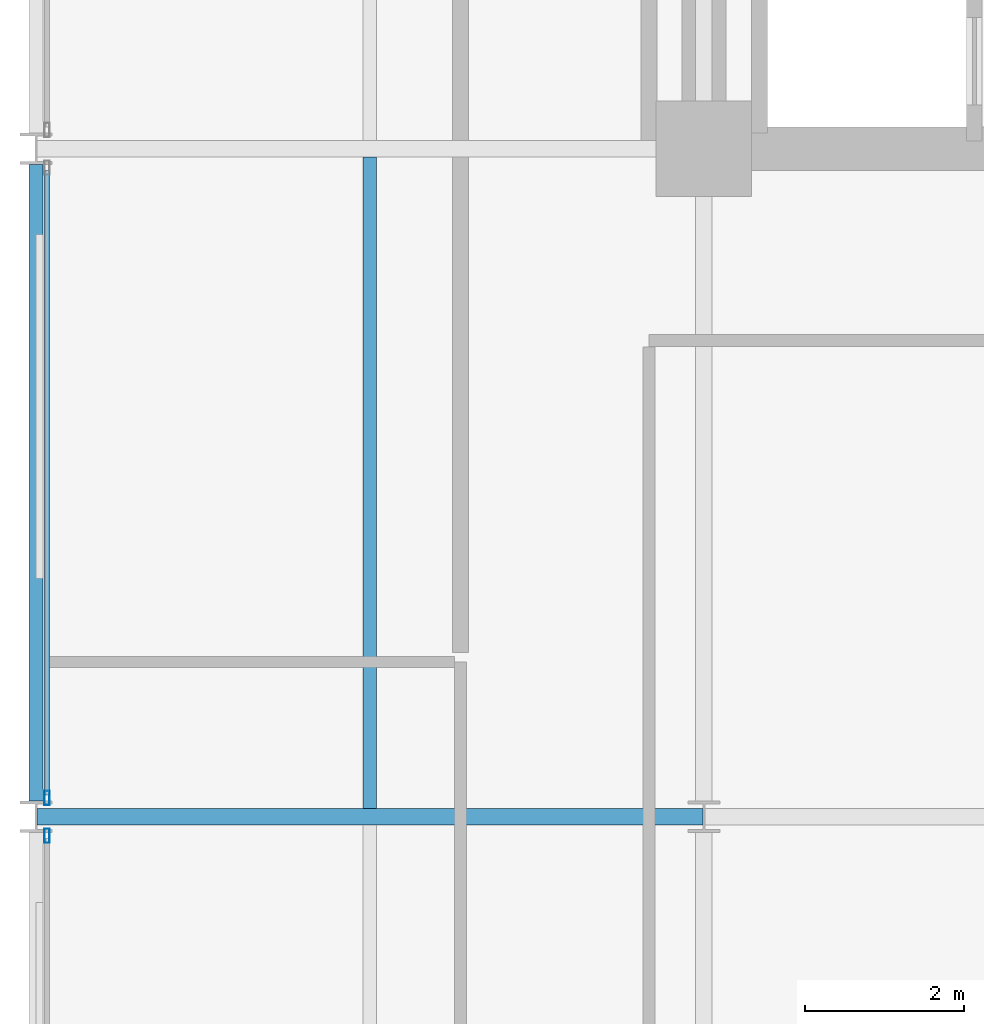
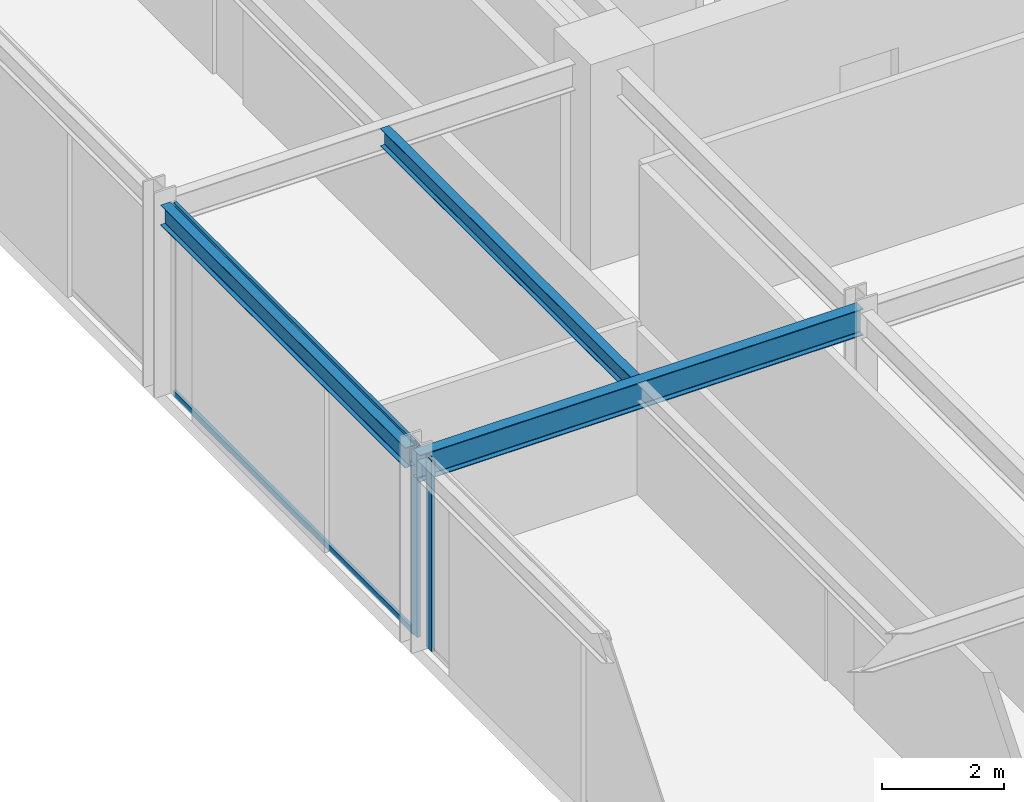
# One storey, part 8 of 29: 4 members, 3 beams, 2 elements without a shape of their own.
"""IFC4 building model written with IfcOpenShell, lengths in metres."""

from ifc_helpers import new_model, si_unit, direction, frame, origin, origin_2d, place, context, subcontext, project, spatial, hollow_rectangle, i_section, extrude, material, layer, layer_set, material_profile, profile_set, type_object, element, aggregate, save


model = new_model("IFC4")

# Units and contexts
model_context = context("Model", 3, precision=1e-05, world=origin(), true_north=direction((0.0, 1.0)))
body_context = subcontext(model_context, "Body", "Model", "MODEL_VIEW")
ifc_project = project(units=[si_unit("LENGTHUNIT", "METRE"), si_unit("AREAUNIT", "SQUARE_METRE"), si_unit("VOLUMEUNIT", "CUBIC_METRE"), si_unit("PLANEANGLEUNIT", "RADIAN"), si_unit("MASSUNIT", "GRAM", prefix="KILO")], contexts=[model_context])

# Site, building, storey
site_placement = place(None, origin())
site = spatial("IfcSite", under=ifc_project, at=site_placement, CompositionType="ELEMENT")
building_placement = place(site_placement, origin())
building = spatial("IfcBuilding", under=site, at=building_placement, Name="Nerrivon Quay Data Exchange", CompositionType="ELEMENT")
storey_placement = place(building_placement, frame((0.0, 0.0, 121.300048828125)))
storey = spatial("IfcBuildingStorey", under=building, at=storey_placement, Name="L28", CompositionType="ELEMENT", Elevation=121.300048828125)

# Beams
ifc_material_1 = material(Name="Steel Grade 350", Category="steel")
ifc_material_profile_1 = material_profile(ifc_material_1, i_section(OverallWidth=0.208984375, OverallDepth=0.532958984375, WebThickness=0.01025390625, FlangeThickness=0.015625, FilletRadius=0.013916015625, at=origin_2d()), Name="530UB92.4")
ifc_profile_set_1 = profile_set([ifc_material_profile_1], Name="Steel Grade 350")
beam_type_1 = type_object("IfcBeamType", Name="BM-G3-530UB92", PredefinedType="BEAM", material=ifc_profile_set_1)
beam_1_placement = place(storey_placement, frame((0.012451171875, 16.800048828125, 3.558349609375), z_axis=(1.0, 0.0, 0.0), x_axis=(0.0, 1.0, 0.0)))
element("IfcBeam", 1, at=beam_1_placement, inside=storey, type_object=beam_type_1, Name="L28 EW Girder Y=16.8 (0.0..8.4)", PredefinedType="BEAM", context=body_context, shape_type="SweptSolid", body=[
    extrude(i_section(OverallWidth=0.208984375, OverallDepth=0.532958984375, WebThickness=0.01025390625, FlangeThickness=0.015625, FilletRadius=0.013916015625, at=origin_2d()), origin(), (0.0, 0.0, 1.0), 8.375),
])
ifc_material_profile_2 = material_profile(ifc_material_1, i_section(OverallWidth=0.1708984375, OverallDepth=0.35595703125, WebThickness=0.00732421875, FlangeThickness=0.011474609375, FilletRadius=0.011474609375, at=origin_2d()), Name="360UB50.7")
ifc_profile_set_2 = profile_set([ifc_material_profile_2], Name="Steel Grade 350")
beam_type_2 = type_object("IfcBeamType", Name="BM-J4-360UB51", PredefinedType="JOIST", material=ifc_profile_set_2)
beam_2_placement = place(storey_placement, frame((4.199951171875, 16.904541015625, 3.64697265625), z_axis=(0.0, 1.0, 0.0), x_axis=(-1.0, 0.0, 0.0)))
element("IfcBeam", 2, at=beam_2_placement, inside=storey, type_object=beam_type_2, Name="L28 Secondary Joist X=4.2 (16.8..25.2)", PredefinedType="JOIST", context=body_context, shape_type="SweptSolid", body=[
    extrude(i_section(OverallWidth=0.1708984375, OverallDepth=0.35595703125, WebThickness=0.00732421875, FlangeThickness=0.011474609375, FilletRadius=0.011474609375, at=origin_2d()), origin(), (0.0, 0.0, 1.0), 8.19091796875),
])
ifc_material_profile_3 = material_profile(ifc_material_1, i_section(OverallWidth=0.177978515625, OverallDepth=0.403076171875, WebThickness=0.007568359375, FlangeThickness=0.010986328125, FilletRadius=0.011474609375, at=origin_2d()), Name="410UB53.7")
ifc_profile_set_3 = profile_set([ifc_material_profile_3], Name="Steel Grade 350")
beam_type_3 = type_object("IfcBeamType", Name="BM-SP2-410UB54", PredefinedType="SPANDREL", material=ifc_profile_set_3)
beam_3_placement = place(storey_placement, frame((0.0, 17.0, 3.62353515625), z_axis=(0.0, 1.0, 0.0), x_axis=(-1.0, 0.0, 0.0)))
element("IfcBeam", 3, at=beam_3_placement, inside=storey, type_object=beam_type_3, Name="L28 NS Girder X=0.0 (16.8..25.2)", PredefinedType="SPANDREL", context=body_context, shape_type="SweptSolid", body=[
    extrude(i_section(OverallWidth=0.177978515625, OverallDepth=0.403076171875, WebThickness=0.007568359375, FlangeThickness=0.010986328125, FilletRadius=0.011474609375, at=origin_2d()), origin(), (0.0, 0.0, 1.0), 8.0),
])

# Curtain wall, member
ifc_material_2 = material(Name="Anodised aluminium 6063-T6", Category="aluminium")
ifc_layer = layer(ifc_material_2, 0.2099609375)
ifc_layer_set = layer_set([ifc_layer], Name="Anodised aluminium 6063-T6")
curtain_wall_type = type_object("IfcCurtainWallType", Name="CW-SYS-02", PredefinedType="NOTDEFINED", material=ifc_layer_set)
curtain_wall_1_placement = place(storey_placement, origin())
curtain_wall_1 = element("IfcCurtainWall", 4, at=curtain_wall_1_placement, inside=storey, type_object=curtain_wall_type, Name="L28 Unitised Curtain Wall 12", PredefinedType="NOTDEFINED")
ifc_material_profile_4 = material_profile(ifc_material_2, hollow_rectangle(XDim=0.06494140625, YDim=0.179931640625, WallThickness=0.00341796875, at=origin_2d()), Name="ALU-MULL-180x65")
ifc_profile_set_4 = profile_set([ifc_material_profile_4], Name="Anodised aluminium 6063-T6")
member_type_1 = type_object("IfcMemberType", Name="CWM-180x65", PredefinedType="MULLION", material=ifc_profile_set_4)
member_1_placement = place(storey_placement, frame((0.139892578125, 16.5625, 0.0), z_axis=(0.0, 0.0, 1.0), x_axis=(-1.0, 0.0, 0.0)))
member_1 = element("IfcMember", 5, at=member_1_placement, type_object=member_type_1, Name="CW02 mullion 2", PredefinedType="MULLION", context=body_context, shape_type="SweptSolid", body=[
    extrude(hollow_rectangle(XDim=0.06494140625, YDim=0.179931640625, WallThickness=0.00341796875, at=origin_2d()), origin(), (0.0, 0.0, 1.0), 3.824951171875),
])
aggregate(curtain_wall_1, [member_1])

# Curtain wall, members
curtain_wall_2_placement = place(storey_placement, origin())
curtain_wall_2 = element("IfcCurtainWall", 6, at=curtain_wall_2_placement, inside=storey, type_object=curtain_wall_type, Name="L28 Unitised Curtain Wall 13", PredefinedType="NOTDEFINED")
member_2_placement = place(storey_placement, frame((0.139892578125, 17.03759765625, 0.0), z_axis=(0.0, 0.0, 1.0), x_axis=(-1.0, 0.0, 0.0)))
member_2 = element("IfcMember", 7, at=member_2_placement, type_object=member_type_1, Name="CW02 mullion 1", PredefinedType="MULLION", context=body_context, shape_type="SweptSolid", body=[
    extrude(hollow_rectangle(XDim=0.06494140625, YDim=0.179931640625, WallThickness=0.00341796875, at=origin_2d()), origin(), (0.0, 0.0, 1.0), 3.824951171875),
])
ifc_material_profile_5 = material_profile(ifc_material_2, hollow_rectangle(XDim=0.06005859375, YDim=0.1201171875, WallThickness=0.003173828125, at=origin_2d()), Name="ALU-TRAN-120x60")
ifc_profile_set_5 = profile_set([ifc_material_profile_5], Name="Anodised aluminium 6063-T6")
member_type_2 = type_object("IfcMemberType", Name="CWT-120x60", PredefinedType="USERDEFINED", material=ifc_profile_set_5)
member_3_placement = place(storey_placement, frame((0.139892578125, 17.074951171875, 0.032470703125), z_axis=(0.0, 1.0, 0.0), x_axis=(-1.0, 0.0, 0.0)))
member_3 = element("IfcMember", 8, at=member_3_placement, type_object=member_type_2, Name="CW02 transom 1.1", ObjectType="TRANSOM", PredefinedType="USERDEFINED", context=body_context, shape_type="SweptSolid", body=[
    extrude(hollow_rectangle(XDim=0.06005859375, YDim=0.1201171875, WallThickness=0.003173828125, at=origin_2d()), origin(), (0.0, 0.0, 1.0), 7.85009765625),
])
member_4_placement = place(storey_placement, frame((0.139892578125, 17.074951171875, 3.79248046875), z_axis=(0.0, 1.0, 0.0), x_axis=(-1.0, 0.0, 0.0)))
member_4 = element("IfcMember", 9, at=member_4_placement, type_object=member_type_2, Name="CW02 transom 1.2", ObjectType="TRANSOM", PredefinedType="USERDEFINED", context=body_context, shape_type="SweptSolid", body=[
    extrude(hollow_rectangle(XDim=0.06005859375, YDim=0.1201171875, WallThickness=0.003173828125, at=origin_2d()), origin(), (0.0, 0.0, 1.0), 7.85009765625),
])
aggregate(curtain_wall_2, [member_2, member_3, member_4])

save(model, "model.ifc")
